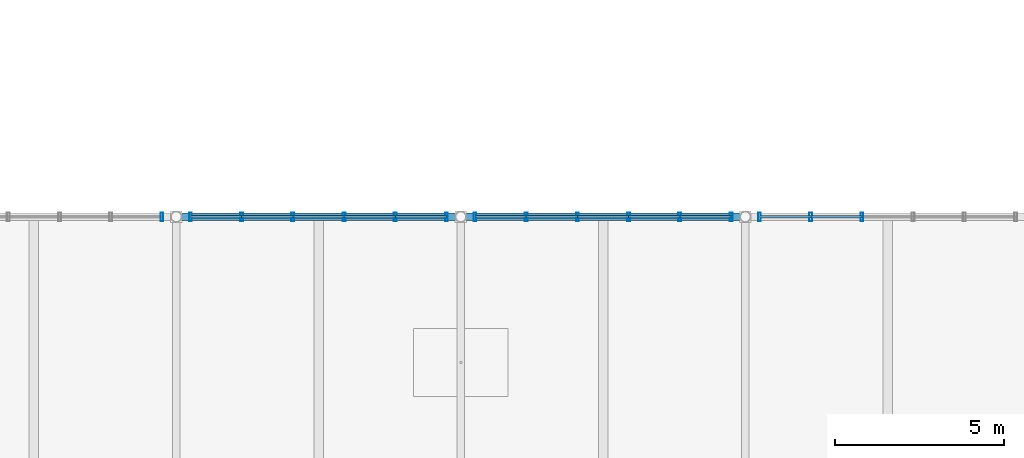
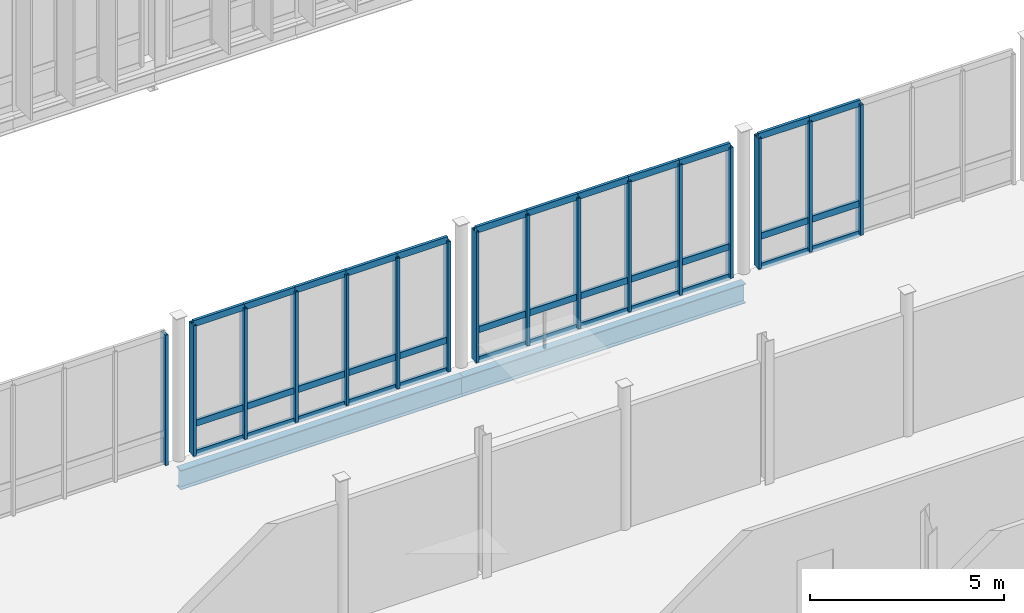
# One storey, part 42 of 139: 52 members, 2 beams, 4 elements without a shape of their own.
"""IFC4 building model written with IfcOpenShell, lengths in metres."""

from ifc_helpers import new_model, si_unit, derived_unit, direction, frame, origin, origin_2d, place, context, subcontext, project, spatial, hollow_rectangle, i_section, extrude, material, layer, layer_set, material_profile, profile_set, type_object, element, aggregate, save


model = new_model("IFC4")

# Units and contexts
model_context = context("Model", 3, precision=1e-05, world=origin(), true_north=direction((0.0, 1.0)))
body_context = subcontext(model_context, "Body", "Model", "MODEL_VIEW")
ifc_project = project(units=[si_unit("LENGTHUNIT", "METRE"), si_unit("AREAUNIT", "SQUARE_METRE"), si_unit("VOLUMEUNIT", "CUBIC_METRE"), si_unit("PLANEANGLEUNIT", "RADIAN"), si_unit("MASSUNIT", "GRAM", prefix="KILO"), derived_unit("THERMALTRANSMITTANCEUNIT", [(si_unit("MASSUNIT", "GRAM", prefix="KILO"), 1), (si_unit("TIMEUNIT", "SECOND"), -3), (si_unit("THERMODYNAMICTEMPERATUREUNIT", "KELVIN"), -1)])], contexts=[model_context])

# Site, building, storey
site_placement = place(None, origin())
site = spatial("IfcSite", under=ifc_project, at=site_placement, CompositionType="ELEMENT")
building_placement = place(site_placement, origin())
building = spatial("IfcBuilding", under=site, at=building_placement, Name="Makaiwela Harbour Ferry Terminal", CompositionType="ELEMENT")
storey_placement = place(building_placement, frame((0.0, 0.0, 5.10009765625)))
storey = spatial("IfcBuildingStorey", under=building, at=storey_placement, Name="L01", CompositionType="ELEMENT", Elevation=5.10009765625)

# Curtain wall, member
ifc_material_1 = material(Name="Marine anodised aluminium 6063-T6", Category="aluminium")
ifc_layer = layer(ifc_material_1, 0.199951171875)
ifc_layer_set = layer_set([ifc_layer], Name="Marine anodised aluminium 6063-T6")
curtain_wall_type = type_object("IfcCurtainWallType", Name="ENV-CW-08", PredefinedType="USERDEFINED", material=ifc_layer_set)
curtain_wall_1_placement = place(storey_placement, origin())
curtain_wall_1 = element("IfcCurtainWall", 1, at=curtain_wall_1_placement, inside=storey, type_object=curtain_wall_type, Name="Unitised Curtain Wall CWA-143", ObjectType="UNITIZED CURTAIN WALL", PredefinedType="USERDEFINED")
ifc_material_profile_1 = material_profile(ifc_material_1, hollow_rectangle(XDim=0.0849609375, YDim=0.25, WallThickness=0.0048828125, at=origin_2d()), Name="CWM-250X85")
ifc_profile_set_1 = profile_set([ifc_material_profile_1], Name="Marine anodised aluminium 6063-T6")
member_type_1 = type_object("IfcMemberType", Name="CW-MUL-250", PredefinedType="MULLION", material=ifc_profile_set_1)
member_1_placement = place(storey_placement, frame((96.179931640625, 33.60009765625, 0.0), z_axis=(0.0, 0.0, 1.0), x_axis=(1.0, 0.0, 0.0)))
member_1 = element("IfcMember", 2, at=member_1_placement, type_object=member_type_1, Name="Curtain Wall Mullion CWA-143-1", PredefinedType="MULLION", context=body_context, shape_type="SweptSolid", body=[
    extrude(hollow_rectangle(XDim=0.0849609375, YDim=0.25, WallThickness=0.0048828125, at=origin_2d()), origin(), (0.0, 0.0, 1.0), 4.099853515625),
])
aggregate(curtain_wall_1, [member_1])

# Curtain wall, members
curtain_wall_2_placement = place(storey_placement, origin())
curtain_wall_2 = element("IfcCurtainWall", 3, at=curtain_wall_2_placement, inside=storey, type_object=curtain_wall_type, Name="Unitised Curtain Wall CWA-145", ObjectType="UNITIZED CURTAIN WALL", PredefinedType="USERDEFINED")
member_2_placement = place(storey_placement, frame((104.580078125, 33.60009765625, 0.0), z_axis=(0.0, 0.0, 1.0), x_axis=(1.0, 0.0, 0.0)))
member_2 = element("IfcMember", 4, at=member_2_placement, type_object=member_type_1, Name="Curtain Wall Mullion CWA-145-1", PredefinedType="MULLION", context=body_context, shape_type="SweptSolid", body=[
    extrude(hollow_rectangle(XDim=0.0849609375, YDim=0.25, WallThickness=0.0048828125, at=origin_2d()), origin(), (0.0, 0.0, 1.0), 4.099853515625),
])
member_3_placement = place(storey_placement, frame((103.068115234375, 33.60009765625, 0.0), z_axis=(0.0, 0.0, 1.0), x_axis=(1.0, 0.0, 0.0)))
member_3 = element("IfcMember", 5, at=member_3_placement, type_object=member_type_1, Name="Curtain Wall Mullion CWA-145-2", PredefinedType="MULLION", context=body_context, shape_type="SweptSolid", body=[
    extrude(hollow_rectangle(XDim=0.0849609375, YDim=0.25, WallThickness=0.0048828125, at=origin_2d()), origin(), (0.0, 0.0, 1.0), 4.099853515625),
])
member_4_placement = place(storey_placement, frame((101.555908203125, 33.60009765625, 0.0), z_axis=(0.0, 0.0, 1.0), x_axis=(1.0, 0.0, 0.0)))
member_4 = element("IfcMember", 6, at=member_4_placement, type_object=member_type_1, Name="Curtain Wall Mullion CWA-145-3", PredefinedType="MULLION", context=body_context, shape_type="SweptSolid", body=[
    extrude(hollow_rectangle(XDim=0.0849609375, YDim=0.25, WallThickness=0.0048828125, at=origin_2d()), origin(), (0.0, 0.0, 1.0), 4.099853515625),
])
member_5_placement = place(storey_placement, frame((100.0439453125, 33.60009765625, 0.0), z_axis=(0.0, 0.0, 1.0), x_axis=(1.0, 0.0, 0.0)))
member_5 = element("IfcMember", 7, at=member_5_placement, type_object=member_type_1, Name="Curtain Wall Mullion CWA-145-4", PredefinedType="MULLION", context=body_context, shape_type="SweptSolid", body=[
    extrude(hollow_rectangle(XDim=0.0849609375, YDim=0.25, WallThickness=0.0048828125, at=origin_2d()), origin(), (0.0, 0.0, 1.0), 4.099853515625),
])
member_6_placement = place(storey_placement, frame((98.531982421875, 33.60009765625, 0.0), z_axis=(0.0, 0.0, 1.0), x_axis=(1.0, 0.0, 0.0)))
member_6 = element("IfcMember", 8, at=member_6_placement, type_object=member_type_1, Name="Curtain Wall Mullion CWA-145-5", PredefinedType="MULLION", context=body_context, shape_type="SweptSolid", body=[
    extrude(hollow_rectangle(XDim=0.0849609375, YDim=0.25, WallThickness=0.0048828125, at=origin_2d()), origin(), (0.0, 0.0, 1.0), 4.099853515625),
])
member_7_placement = place(storey_placement, frame((97.02001953125, 33.60009765625, 0.0), z_axis=(0.0, 0.0, 1.0), x_axis=(1.0, 0.0, 0.0)))
member_7 = element("IfcMember", 9, at=member_7_placement, type_object=member_type_1, Name="Curtain Wall Mullion CWA-145-6", PredefinedType="MULLION", context=body_context, shape_type="SweptSolid", body=[
    extrude(hollow_rectangle(XDim=0.0849609375, YDim=0.25, WallThickness=0.0048828125, at=origin_2d()), origin(), (0.0, 0.0, 1.0), 4.099853515625),
])

curtain_wall_3_placement = place(storey_placement, origin())
curtain_wall_3 = element("IfcCurtainWall", 10, at=curtain_wall_3_placement, inside=storey, type_object=curtain_wall_type, Name="Unitised Curtain Wall CWA-147", ObjectType="UNITIZED CURTAIN WALL", PredefinedType="USERDEFINED")
member_8_placement = place(storey_placement, frame((112.97998046875, 33.60009765625, 0.0), z_axis=(0.0, 0.0, 1.0), x_axis=(1.0, 0.0, 0.0)))
member_8 = element("IfcMember", 11, at=member_8_placement, type_object=member_type_1, Name="Curtain Wall Mullion CWA-147-1", PredefinedType="MULLION", context=body_context, shape_type="SweptSolid", body=[
    extrude(hollow_rectangle(XDim=0.0849609375, YDim=0.25, WallThickness=0.0048828125, at=origin_2d()), origin(), (0.0, 0.0, 1.0), 4.099853515625),
])
member_9_placement = place(storey_placement, frame((111.468017578125, 33.60009765625, 0.0), z_axis=(0.0, 0.0, 1.0), x_axis=(1.0, 0.0, 0.0)))
member_9 = element("IfcMember", 12, at=member_9_placement, type_object=member_type_1, Name="Curtain Wall Mullion CWA-147-2", PredefinedType="MULLION", context=body_context, shape_type="SweptSolid", body=[
    extrude(hollow_rectangle(XDim=0.0849609375, YDim=0.25, WallThickness=0.0048828125, at=origin_2d()), origin(), (0.0, 0.0, 1.0), 4.099853515625),
])
member_10_placement = place(storey_placement, frame((109.9560546875, 33.60009765625, 0.0), z_axis=(0.0, 0.0, 1.0), x_axis=(1.0, 0.0, 0.0)))
member_10 = element("IfcMember", 13, at=member_10_placement, type_object=member_type_1, Name="Curtain Wall Mullion CWA-147-3", PredefinedType="MULLION", context=body_context, shape_type="SweptSolid", body=[
    extrude(hollow_rectangle(XDim=0.0849609375, YDim=0.25, WallThickness=0.0048828125, at=origin_2d()), origin(), (0.0, 0.0, 1.0), 4.099853515625),
])
member_11_placement = place(storey_placement, frame((108.444091796875, 33.60009765625, 0.0), z_axis=(0.0, 0.0, 1.0), x_axis=(1.0, 0.0, 0.0)))
member_11 = element("IfcMember", 14, at=member_11_placement, type_object=member_type_1, Name="Curtain Wall Mullion CWA-147-4", PredefinedType="MULLION", context=body_context, shape_type="SweptSolid", body=[
    extrude(hollow_rectangle(XDim=0.0849609375, YDim=0.25, WallThickness=0.0048828125, at=origin_2d()), origin(), (0.0, 0.0, 1.0), 4.099853515625),
])
member_12_placement = place(storey_placement, frame((106.931884765625, 33.60009765625, 0.0), z_axis=(0.0, 0.0, 1.0), x_axis=(1.0, 0.0, 0.0)))
member_12 = element("IfcMember", 15, at=member_12_placement, type_object=member_type_1, Name="Curtain Wall Mullion CWA-147-5", PredefinedType="MULLION", context=body_context, shape_type="SweptSolid", body=[
    extrude(hollow_rectangle(XDim=0.0849609375, YDim=0.25, WallThickness=0.0048828125, at=origin_2d()), origin(), (0.0, 0.0, 1.0), 4.099853515625),
])
member_13_placement = place(storey_placement, frame((105.419921875, 33.60009765625, 0.0), z_axis=(0.0, 0.0, 1.0), x_axis=(1.0, 0.0, 0.0)))
member_13 = element("IfcMember", 16, at=member_13_placement, type_object=member_type_1, Name="Curtain Wall Mullion CWA-147-6", PredefinedType="MULLION", context=body_context, shape_type="SweptSolid", body=[
    extrude(hollow_rectangle(XDim=0.0849609375, YDim=0.25, WallThickness=0.0048828125, at=origin_2d()), origin(), (0.0, 0.0, 1.0), 4.099853515625),
])

curtain_wall_4_placement = place(storey_placement, origin())
curtain_wall_4 = element("IfcCurtainWall", 17, at=curtain_wall_4_placement, inside=storey, type_object=curtain_wall_type, Name="Unitised Curtain Wall CWA-149", ObjectType="UNITIZED CURTAIN WALL", PredefinedType="USERDEFINED")
member_14_placement = place(storey_placement, frame((116.843994140625, 33.60009765625, 0.0), z_axis=(0.0, 0.0, 1.0), x_axis=(1.0, 0.0, 0.0)))
member_14 = element("IfcMember", 18, at=member_14_placement, type_object=member_type_1, Name="Curtain Wall Mullion CWA-149-4", PredefinedType="MULLION", context=body_context, shape_type="SweptSolid", body=[
    extrude(hollow_rectangle(XDim=0.0849609375, YDim=0.25, WallThickness=0.0048828125, at=origin_2d()), origin(), (0.0, 0.0, 1.0), 4.099853515625),
])
member_15_placement = place(storey_placement, frame((115.33203125, 33.60009765625, 0.0), z_axis=(0.0, 0.0, 1.0), x_axis=(1.0, 0.0, 0.0)))
member_15 = element("IfcMember", 19, at=member_15_placement, type_object=member_type_1, Name="Curtain Wall Mullion CWA-149-5", PredefinedType="MULLION", context=body_context, shape_type="SweptSolid", body=[
    extrude(hollow_rectangle(XDim=0.0849609375, YDim=0.25, WallThickness=0.0048828125, at=origin_2d()), origin(), (0.0, 0.0, 1.0), 4.099853515625),
])
member_16_placement = place(storey_placement, frame((113.820068359375, 33.60009765625, 0.0), z_axis=(0.0, 0.0, 1.0), x_axis=(1.0, 0.0, 0.0)))
member_16 = element("IfcMember", 20, at=member_16_placement, type_object=member_type_1, Name="Curtain Wall Mullion CWA-149-6", PredefinedType="MULLION", context=body_context, shape_type="SweptSolid", body=[
    extrude(hollow_rectangle(XDim=0.0849609375, YDim=0.25, WallThickness=0.0048828125, at=origin_2d()), origin(), (0.0, 0.0, 1.0), 4.099853515625),
])

# Member
ifc_material_profile_2 = material_profile(ifc_material_1, hollow_rectangle(XDim=0.0849609375, YDim=0.199951171875, WallThickness=0.0048828125, at=origin_2d()), Name="CWT-200X85")
ifc_profile_set_2 = profile_set([ifc_material_profile_2], Name="Marine anodised aluminium 6063-T6")
member_type_2 = type_object("IfcMemberType", Name="CW-TRN-200", PredefinedType="USERDEFINED", material=ifc_profile_set_2)
member_17_placement = place(storey_placement, frame((104.580078125, 33.60009765625, 0.0), z_axis=(-1.0, 0.0, 0.0), x_axis=(0.0, -1.0, 0.0)))
member_17 = element("IfcMember", 21, at=member_17_placement, type_object=member_type_2, Name="Curtain Wall Transom CWA-145-1-1", ObjectType="TRANSOM", PredefinedType="USERDEFINED", context=body_context, shape_type="SweptSolid", body=[
    extrude(hollow_rectangle(XDim=0.0849609375, YDim=0.199951171875, WallThickness=0.0048828125, at=origin_2d()), origin(), (0.0, 0.0, 1.0), 1.511962890625),
])

member_18_placement = place(storey_placement, frame((104.580078125, 33.60009765625, 0.949951171875), z_axis=(-1.0, 0.0, 0.0), x_axis=(0.0, -1.0, 0.0)))
member_18 = element("IfcMember", 22, at=member_18_placement, type_object=member_type_2, Name="Curtain Wall Transom CWA-145-1-2", ObjectType="TRANSOM", PredefinedType="USERDEFINED", context=body_context, shape_type="SweptSolid", body=[
    extrude(hollow_rectangle(XDim=0.0849609375, YDim=0.199951171875, WallThickness=0.0048828125, at=origin_2d()), origin(), (0.0, 0.0, 1.0), 1.511962890625),
])

member_19_placement = place(storey_placement, frame((104.580078125, 33.60009765625, 4.099853515625), z_axis=(-1.0, 0.0, 0.0), x_axis=(0.0, -1.0, 0.0)))
member_19 = element("IfcMember", 23, at=member_19_placement, type_object=member_type_2, Name="Curtain Wall Transom CWA-145-1-3", ObjectType="TRANSOM", PredefinedType="USERDEFINED", context=body_context, shape_type="SweptSolid", body=[
    extrude(hollow_rectangle(XDim=0.0849609375, YDim=0.199951171875, WallThickness=0.0048828125, at=origin_2d()), origin(), (0.0, 0.0, 1.0), 1.511962890625),
])

member_20_placement = place(storey_placement, frame((103.068115234375, 33.60009765625, 0.0), z_axis=(-1.0, 0.0, 0.0), x_axis=(0.0, -1.0, 0.0)))
member_20 = element("IfcMember", 24, at=member_20_placement, type_object=member_type_2, Name="Curtain Wall Transom CWA-145-2-1", ObjectType="TRANSOM", PredefinedType="USERDEFINED", context=body_context, shape_type="SweptSolid", body=[
    extrude(hollow_rectangle(XDim=0.0849609375, YDim=0.199951171875, WallThickness=0.0048828125, at=origin_2d()), origin(), (0.0, 0.0, 1.0), 1.51220703125),
])

member_21_placement = place(storey_placement, frame((103.068115234375, 33.60009765625, 0.949951171875), z_axis=(-1.0, 0.0, 0.0), x_axis=(0.0, -1.0, 0.0)))
member_21 = element("IfcMember", 25, at=member_21_placement, type_object=member_type_2, Name="Curtain Wall Transom CWA-145-2-2", ObjectType="TRANSOM", PredefinedType="USERDEFINED", context=body_context, shape_type="SweptSolid", body=[
    extrude(hollow_rectangle(XDim=0.0849609375, YDim=0.199951171875, WallThickness=0.0048828125, at=origin_2d()), origin(), (0.0, 0.0, 1.0), 1.51220703125),
])

member_22_placement = place(storey_placement, frame((103.068115234375, 33.60009765625, 4.099853515625), z_axis=(-1.0, 0.0, 0.0), x_axis=(0.0, -1.0, 0.0)))
member_22 = element("IfcMember", 26, at=member_22_placement, type_object=member_type_2, Name="Curtain Wall Transom CWA-145-2-3", ObjectType="TRANSOM", PredefinedType="USERDEFINED", context=body_context, shape_type="SweptSolid", body=[
    extrude(hollow_rectangle(XDim=0.0849609375, YDim=0.199951171875, WallThickness=0.0048828125, at=origin_2d()), origin(), (0.0, 0.0, 1.0), 1.51220703125),
])

member_23_placement = place(storey_placement, frame((101.555908203125, 33.60009765625, 0.0), z_axis=(-1.0, 0.0, 0.0), x_axis=(0.0, -1.0, 0.0)))
member_23 = element("IfcMember", 27, at=member_23_placement, type_object=member_type_2, Name="Curtain Wall Transom CWA-145-3-1", ObjectType="TRANSOM", PredefinedType="USERDEFINED", context=body_context, shape_type="SweptSolid", body=[
    extrude(hollow_rectangle(XDim=0.0849609375, YDim=0.199951171875, WallThickness=0.0048828125, at=origin_2d()), origin(), (0.0, 0.0, 1.0), 1.511962890625),
])

member_24_placement = place(storey_placement, frame((101.555908203125, 33.60009765625, 0.949951171875), z_axis=(-1.0, 0.0, 0.0), x_axis=(0.0, -1.0, 0.0)))
member_24 = element("IfcMember", 28, at=member_24_placement, type_object=member_type_2, Name="Curtain Wall Transom CWA-145-3-2", ObjectType="TRANSOM", PredefinedType="USERDEFINED", context=body_context, shape_type="SweptSolid", body=[
    extrude(hollow_rectangle(XDim=0.0849609375, YDim=0.199951171875, WallThickness=0.0048828125, at=origin_2d()), origin(), (0.0, 0.0, 1.0), 1.511962890625),
])

member_25_placement = place(storey_placement, frame((101.555908203125, 33.60009765625, 4.099853515625), z_axis=(-1.0, 0.0, 0.0), x_axis=(0.0, -1.0, 0.0)))
member_25 = element("IfcMember", 29, at=member_25_placement, type_object=member_type_2, Name="Curtain Wall Transom CWA-145-3-3", ObjectType="TRANSOM", PredefinedType="USERDEFINED", context=body_context, shape_type="SweptSolid", body=[
    extrude(hollow_rectangle(XDim=0.0849609375, YDim=0.199951171875, WallThickness=0.0048828125, at=origin_2d()), origin(), (0.0, 0.0, 1.0), 1.511962890625),
])

member_26_placement = place(storey_placement, frame((100.0439453125, 33.60009765625, 0.0), z_axis=(-1.0, 0.0, 0.0), x_axis=(0.0, -1.0, 0.0)))
member_26 = element("IfcMember", 30, at=member_26_placement, type_object=member_type_2, Name="Curtain Wall Transom CWA-145-4-1", ObjectType="TRANSOM", PredefinedType="USERDEFINED", context=body_context, shape_type="SweptSolid", body=[
    extrude(hollow_rectangle(XDim=0.0849609375, YDim=0.199951171875, WallThickness=0.0048828125, at=origin_2d()), origin(), (0.0, 0.0, 1.0), 1.511962890625),
])

member_27_placement = place(storey_placement, frame((100.0439453125, 33.60009765625, 0.949951171875), z_axis=(-1.0, 0.0, 0.0), x_axis=(0.0, -1.0, 0.0)))
member_27 = element("IfcMember", 31, at=member_27_placement, type_object=member_type_2, Name="Curtain Wall Transom CWA-145-4-2", ObjectType="TRANSOM", PredefinedType="USERDEFINED", context=body_context, shape_type="SweptSolid", body=[
    extrude(hollow_rectangle(XDim=0.0849609375, YDim=0.199951171875, WallThickness=0.0048828125, at=origin_2d()), origin(), (0.0, 0.0, 1.0), 1.511962890625),
])

member_28_placement = place(storey_placement, frame((100.0439453125, 33.60009765625, 4.099853515625), z_axis=(-1.0, 0.0, 0.0), x_axis=(0.0, -1.0, 0.0)))
member_28 = element("IfcMember", 32, at=member_28_placement, type_object=member_type_2, Name="Curtain Wall Transom CWA-145-4-3", ObjectType="TRANSOM", PredefinedType="USERDEFINED", context=body_context, shape_type="SweptSolid", body=[
    extrude(hollow_rectangle(XDim=0.0849609375, YDim=0.199951171875, WallThickness=0.0048828125, at=origin_2d()), origin(), (0.0, 0.0, 1.0), 1.511962890625),
])

member_29_placement = place(storey_placement, frame((98.531982421875, 33.60009765625, 0.0), z_axis=(-1.0, 0.0, 0.0), x_axis=(0.0, -1.0, 0.0)))
member_29 = element("IfcMember", 33, at=member_29_placement, type_object=member_type_2, Name="Curtain Wall Transom CWA-145-5-1", ObjectType="TRANSOM", PredefinedType="USERDEFINED", context=body_context, shape_type="SweptSolid", body=[
    extrude(hollow_rectangle(XDim=0.0849609375, YDim=0.199951171875, WallThickness=0.0048828125, at=origin_2d()), origin(), (0.0, 0.0, 1.0), 1.511962890625),
])

member_30_placement = place(storey_placement, frame((98.531982421875, 33.60009765625, 0.949951171875), z_axis=(-1.0, 0.0, 0.0), x_axis=(0.0, -1.0, 0.0)))
member_30 = element("IfcMember", 34, at=member_30_placement, type_object=member_type_2, Name="Curtain Wall Transom CWA-145-5-2", ObjectType="TRANSOM", PredefinedType="USERDEFINED", context=body_context, shape_type="SweptSolid", body=[
    extrude(hollow_rectangle(XDim=0.0849609375, YDim=0.199951171875, WallThickness=0.0048828125, at=origin_2d()), origin(), (0.0, 0.0, 1.0), 1.511962890625),
])

member_31_placement = place(storey_placement, frame((98.531982421875, 33.60009765625, 4.099853515625), z_axis=(-1.0, 0.0, 0.0), x_axis=(0.0, -1.0, 0.0)))
member_31 = element("IfcMember", 35, at=member_31_placement, type_object=member_type_2, Name="Curtain Wall Transom CWA-145-5-3", ObjectType="TRANSOM", PredefinedType="USERDEFINED", context=body_context, shape_type="SweptSolid", body=[
    extrude(hollow_rectangle(XDim=0.0849609375, YDim=0.199951171875, WallThickness=0.0048828125, at=origin_2d()), origin(), (0.0, 0.0, 1.0), 1.511962890625),
])

aggregate(curtain_wall_2, [member_2, member_3, member_4, member_5, member_6, member_7, member_17, member_18, member_19, member_20, member_21, member_22, member_23, member_24, member_25, member_26, member_27, member_28, member_29, member_30, member_31])

member_32_placement = place(storey_placement, frame((112.97998046875, 33.60009765625, 0.0), z_axis=(-1.0, 0.0, 0.0), x_axis=(0.0, -1.0, 0.0)))
member_32 = element("IfcMember", 36, at=member_32_placement, type_object=member_type_2, Name="Curtain Wall Transom CWA-147-1-1", ObjectType="TRANSOM", PredefinedType="USERDEFINED", context=body_context, shape_type="SweptSolid", body=[
    extrude(hollow_rectangle(XDim=0.0849609375, YDim=0.199951171875, WallThickness=0.0048828125, at=origin_2d()), origin(), (0.0, 0.0, 1.0), 1.511962890625),
])

member_33_placement = place(storey_placement, frame((112.97998046875, 33.60009765625, 0.949951171875), z_axis=(-1.0, 0.0, 0.0), x_axis=(0.0, -1.0, 0.0)))
member_33 = element("IfcMember", 37, at=member_33_placement, type_object=member_type_2, Name="Curtain Wall Transom CWA-147-1-2", ObjectType="TRANSOM", PredefinedType="USERDEFINED", context=body_context, shape_type="SweptSolid", body=[
    extrude(hollow_rectangle(XDim=0.0849609375, YDim=0.199951171875, WallThickness=0.0048828125, at=origin_2d()), origin(), (0.0, 0.0, 1.0), 1.511962890625),
])

member_34_placement = place(storey_placement, frame((112.97998046875, 33.60009765625, 4.099853515625), z_axis=(-1.0, 0.0, 0.0), x_axis=(0.0, -1.0, 0.0)))
member_34 = element("IfcMember", 38, at=member_34_placement, type_object=member_type_2, Name="Curtain Wall Transom CWA-147-1-3", ObjectType="TRANSOM", PredefinedType="USERDEFINED", context=body_context, shape_type="SweptSolid", body=[
    extrude(hollow_rectangle(XDim=0.0849609375, YDim=0.199951171875, WallThickness=0.0048828125, at=origin_2d()), origin(), (0.0, 0.0, 1.0), 1.511962890625),
])

member_35_placement = place(storey_placement, frame((111.468017578125, 33.60009765625, 0.0), z_axis=(-1.0, 0.0, 0.0), x_axis=(0.0, -1.0, 0.0)))
member_35 = element("IfcMember", 39, at=member_35_placement, type_object=member_type_2, Name="Curtain Wall Transom CWA-147-2-1", ObjectType="TRANSOM", PredefinedType="USERDEFINED", context=body_context, shape_type="SweptSolid", body=[
    extrude(hollow_rectangle(XDim=0.0849609375, YDim=0.199951171875, WallThickness=0.0048828125, at=origin_2d()), origin(), (0.0, 0.0, 1.0), 1.511962890625),
])

member_36_placement = place(storey_placement, frame((111.468017578125, 33.60009765625, 0.949951171875), z_axis=(-1.0, 0.0, 0.0), x_axis=(0.0, -1.0, 0.0)))
member_36 = element("IfcMember", 40, at=member_36_placement, type_object=member_type_2, Name="Curtain Wall Transom CWA-147-2-2", ObjectType="TRANSOM", PredefinedType="USERDEFINED", context=body_context, shape_type="SweptSolid", body=[
    extrude(hollow_rectangle(XDim=0.0849609375, YDim=0.199951171875, WallThickness=0.0048828125, at=origin_2d()), origin(), (0.0, 0.0, 1.0), 1.511962890625),
])

member_37_placement = place(storey_placement, frame((111.468017578125, 33.60009765625, 4.099853515625), z_axis=(-1.0, 0.0, 0.0), x_axis=(0.0, -1.0, 0.0)))
member_37 = element("IfcMember", 41, at=member_37_placement, type_object=member_type_2, Name="Curtain Wall Transom CWA-147-2-3", ObjectType="TRANSOM", PredefinedType="USERDEFINED", context=body_context, shape_type="SweptSolid", body=[
    extrude(hollow_rectangle(XDim=0.0849609375, YDim=0.199951171875, WallThickness=0.0048828125, at=origin_2d()), origin(), (0.0, 0.0, 1.0), 1.511962890625),
])

member_38_placement = place(storey_placement, frame((109.9560546875, 33.60009765625, 0.0), z_axis=(-1.0, 0.0, 0.0), x_axis=(0.0, -1.0, 0.0)))
member_38 = element("IfcMember", 42, at=member_38_placement, type_object=member_type_2, Name="Curtain Wall Transom CWA-147-3-1", ObjectType="TRANSOM", PredefinedType="USERDEFINED", context=body_context, shape_type="SweptSolid", body=[
    extrude(hollow_rectangle(XDim=0.0849609375, YDim=0.199951171875, WallThickness=0.0048828125, at=origin_2d()), origin(), (0.0, 0.0, 1.0), 1.511962890625),
])

member_39_placement = place(storey_placement, frame((109.9560546875, 33.60009765625, 0.949951171875), z_axis=(-1.0, 0.0, 0.0), x_axis=(0.0, -1.0, 0.0)))
member_39 = element("IfcMember", 43, at=member_39_placement, type_object=member_type_2, Name="Curtain Wall Transom CWA-147-3-2", ObjectType="TRANSOM", PredefinedType="USERDEFINED", context=body_context, shape_type="SweptSolid", body=[
    extrude(hollow_rectangle(XDim=0.0849609375, YDim=0.199951171875, WallThickness=0.0048828125, at=origin_2d()), origin(), (0.0, 0.0, 1.0), 1.511962890625),
])

member_40_placement = place(storey_placement, frame((109.9560546875, 33.60009765625, 4.099853515625), z_axis=(-1.0, 0.0, 0.0), x_axis=(0.0, -1.0, 0.0)))
member_40 = element("IfcMember", 44, at=member_40_placement, type_object=member_type_2, Name="Curtain Wall Transom CWA-147-3-3", ObjectType="TRANSOM", PredefinedType="USERDEFINED", context=body_context, shape_type="SweptSolid", body=[
    extrude(hollow_rectangle(XDim=0.0849609375, YDim=0.199951171875, WallThickness=0.0048828125, at=origin_2d()), origin(), (0.0, 0.0, 1.0), 1.511962890625),
])

member_41_placement = place(storey_placement, frame((108.444091796875, 33.60009765625, 0.0), z_axis=(-1.0, 0.0, 0.0), x_axis=(0.0, -1.0, 0.0)))
member_41 = element("IfcMember", 45, at=member_41_placement, type_object=member_type_2, Name="Curtain Wall Transom CWA-147-4-1", ObjectType="TRANSOM", PredefinedType="USERDEFINED", context=body_context, shape_type="SweptSolid", body=[
    extrude(hollow_rectangle(XDim=0.0849609375, YDim=0.199951171875, WallThickness=0.0048828125, at=origin_2d()), origin(), (0.0, 0.0, 1.0), 1.51220703125),
])

member_42_placement = place(storey_placement, frame((108.444091796875, 33.60009765625, 0.949951171875), z_axis=(-1.0, 0.0, 0.0), x_axis=(0.0, -1.0, 0.0)))
member_42 = element("IfcMember", 46, at=member_42_placement, type_object=member_type_2, Name="Curtain Wall Transom CWA-147-4-2", ObjectType="TRANSOM", PredefinedType="USERDEFINED", context=body_context, shape_type="SweptSolid", body=[
    extrude(hollow_rectangle(XDim=0.0849609375, YDim=0.199951171875, WallThickness=0.0048828125, at=origin_2d()), origin(), (0.0, 0.0, 1.0), 1.51220703125),
])

member_43_placement = place(storey_placement, frame((108.444091796875, 33.60009765625, 4.099853515625), z_axis=(-1.0, 0.0, 0.0), x_axis=(0.0, -1.0, 0.0)))
member_43 = element("IfcMember", 47, at=member_43_placement, type_object=member_type_2, Name="Curtain Wall Transom CWA-147-4-3", ObjectType="TRANSOM", PredefinedType="USERDEFINED", context=body_context, shape_type="SweptSolid", body=[
    extrude(hollow_rectangle(XDim=0.0849609375, YDim=0.199951171875, WallThickness=0.0048828125, at=origin_2d()), origin(), (0.0, 0.0, 1.0), 1.51220703125),
])

member_44_placement = place(storey_placement, frame((106.931884765625, 33.60009765625, 0.0), z_axis=(-1.0, 0.0, 0.0), x_axis=(0.0, -1.0, 0.0)))
member_44 = element("IfcMember", 48, at=member_44_placement, type_object=member_type_2, Name="Curtain Wall Transom CWA-147-5-1", ObjectType="TRANSOM", PredefinedType="USERDEFINED", context=body_context, shape_type="SweptSolid", body=[
    extrude(hollow_rectangle(XDim=0.0849609375, YDim=0.199951171875, WallThickness=0.0048828125, at=origin_2d()), origin(), (0.0, 0.0, 1.0), 1.511962890625),
])

member_45_placement = place(storey_placement, frame((106.931884765625, 33.60009765625, 0.949951171875), z_axis=(-1.0, 0.0, 0.0), x_axis=(0.0, -1.0, 0.0)))
member_45 = element("IfcMember", 49, at=member_45_placement, type_object=member_type_2, Name="Curtain Wall Transom CWA-147-5-2", ObjectType="TRANSOM", PredefinedType="USERDEFINED", context=body_context, shape_type="SweptSolid", body=[
    extrude(hollow_rectangle(XDim=0.0849609375, YDim=0.199951171875, WallThickness=0.0048828125, at=origin_2d()), origin(), (0.0, 0.0, 1.0), 1.511962890625),
])

member_46_placement = place(storey_placement, frame((106.931884765625, 33.60009765625, 4.099853515625), z_axis=(-1.0, 0.0, 0.0), x_axis=(0.0, -1.0, 0.0)))
member_46 = element("IfcMember", 50, at=member_46_placement, type_object=member_type_2, Name="Curtain Wall Transom CWA-147-5-3", ObjectType="TRANSOM", PredefinedType="USERDEFINED", context=body_context, shape_type="SweptSolid", body=[
    extrude(hollow_rectangle(XDim=0.0849609375, YDim=0.199951171875, WallThickness=0.0048828125, at=origin_2d()), origin(), (0.0, 0.0, 1.0), 1.511962890625),
])

aggregate(curtain_wall_3, [member_8, member_9, member_10, member_11, member_12, member_13, member_32, member_33, member_34, member_35, member_36, member_37, member_38, member_39, member_40, member_41, member_42, member_43, member_44, member_45, member_46])

member_47_placement = place(storey_placement, frame((116.843994140625, 33.60009765625, 0.0), z_axis=(-1.0, 0.0, 0.0), x_axis=(0.0, -1.0, 0.0)))
member_47 = element("IfcMember", 51, at=member_47_placement, type_object=member_type_2, Name="Curtain Wall Transom CWA-149-4-1", ObjectType="TRANSOM", PredefinedType="USERDEFINED", context=body_context, shape_type="SweptSolid", body=[
    extrude(hollow_rectangle(XDim=0.0849609375, YDim=0.199951171875, WallThickness=0.0048828125, at=origin_2d()), origin(), (0.0, 0.0, 1.0), 1.511962890625),
])

member_48_placement = place(storey_placement, frame((116.843994140625, 33.60009765625, 0.949951171875), z_axis=(-1.0, 0.0, 0.0), x_axis=(0.0, -1.0, 0.0)))
member_48 = element("IfcMember", 52, at=member_48_placement, type_object=member_type_2, Name="Curtain Wall Transom CWA-149-4-2", ObjectType="TRANSOM", PredefinedType="USERDEFINED", context=body_context, shape_type="SweptSolid", body=[
    extrude(hollow_rectangle(XDim=0.0849609375, YDim=0.199951171875, WallThickness=0.0048828125, at=origin_2d()), origin(), (0.0, 0.0, 1.0), 1.511962890625),
])

member_49_placement = place(storey_placement, frame((116.843994140625, 33.60009765625, 4.099853515625), z_axis=(-1.0, 0.0, 0.0), x_axis=(0.0, -1.0, 0.0)))
member_49 = element("IfcMember", 53, at=member_49_placement, type_object=member_type_2, Name="Curtain Wall Transom CWA-149-4-3", ObjectType="TRANSOM", PredefinedType="USERDEFINED", context=body_context, shape_type="SweptSolid", body=[
    extrude(hollow_rectangle(XDim=0.0849609375, YDim=0.199951171875, WallThickness=0.0048828125, at=origin_2d()), origin(), (0.0, 0.0, 1.0), 1.511962890625),
])

member_50_placement = place(storey_placement, frame((115.33203125, 33.60009765625, 0.0), z_axis=(-1.0, 0.0, 0.0), x_axis=(0.0, -1.0, 0.0)))
member_50 = element("IfcMember", 54, at=member_50_placement, type_object=member_type_2, Name="Curtain Wall Transom CWA-149-5-1", ObjectType="TRANSOM", PredefinedType="USERDEFINED", context=body_context, shape_type="SweptSolid", body=[
    extrude(hollow_rectangle(XDim=0.0849609375, YDim=0.199951171875, WallThickness=0.0048828125, at=origin_2d()), origin(), (0.0, 0.0, 1.0), 1.511962890625),
])

member_51_placement = place(storey_placement, frame((115.33203125, 33.60009765625, 0.949951171875), z_axis=(-1.0, 0.0, 0.0), x_axis=(0.0, -1.0, 0.0)))
member_51 = element("IfcMember", 55, at=member_51_placement, type_object=member_type_2, Name="Curtain Wall Transom CWA-149-5-2", ObjectType="TRANSOM", PredefinedType="USERDEFINED", context=body_context, shape_type="SweptSolid", body=[
    extrude(hollow_rectangle(XDim=0.0849609375, YDim=0.199951171875, WallThickness=0.0048828125, at=origin_2d()), origin(), (0.0, 0.0, 1.0), 1.511962890625),
])

member_52_placement = place(storey_placement, frame((115.33203125, 33.60009765625, 4.099853515625), z_axis=(-1.0, 0.0, 0.0), x_axis=(0.0, -1.0, 0.0)))
member_52 = element("IfcMember", 56, at=member_52_placement, type_object=member_type_2, Name="Curtain Wall Transom CWA-149-5-3", ObjectType="TRANSOM", PredefinedType="USERDEFINED", context=body_context, shape_type="SweptSolid", body=[
    extrude(hollow_rectangle(XDim=0.0849609375, YDim=0.199951171875, WallThickness=0.0048828125, at=origin_2d()), origin(), (0.0, 0.0, 1.0), 1.511962890625),
])

aggregate(curtain_wall_4, [member_14, member_15, member_16, member_47, member_48, member_49, member_50, member_51, member_52])

# Beams
ifc_material_2 = material(Name="Steel ASTM A992 Grade 50", Category="steel")
ifc_material_profile_3 = material_profile(ifc_material_2, i_section(OverallWidth=0.22900390625, OverallDepth=0.612060546875, WebThickness=0.011962890625, FlangeThickness=0.01953125, at=origin_2d()), Name="W24X84")
ifc_profile_set_3 = profile_set([ifc_material_profile_3], Name="Steel ASTM A992 Grade 50")
beam_type = type_object("IfcBeamType", Name="STR-GRD-W24X84", PredefinedType="USERDEFINED", material=ifc_profile_set_3)
for number, where, z_axis, x_axis, name in (
    (57, (96.60009765625, 33.60009765625, -0.6259765625), (1.0, 0.0, 0.0), (0.0, 1.0, 0.0), "Primary X girder 787"),
    (58, (105.0, 33.60009765625, -0.6259765625), (1.0, 0.0, 0.0), (0.0, 1.0, 0.0), "Primary X girder 788"),
):
    element("IfcBeam", number, at=place(storey_placement, frame(where, z_axis=z_axis, x_axis=x_axis)), inside=storey, type_object=beam_type, Name=name, ObjectType="GIRDER", PredefinedType="USERDEFINED", context=body_context, shape_type="SweptSolid", body=[
        extrude(i_section(OverallWidth=0.22900390625, OverallDepth=0.612060546875, WebThickness=0.011962890625, FlangeThickness=0.01953125, at=origin_2d()), origin(), (0.0, 0.0, 1.0), 8.39990234375),
    ])

save(model, "model.ifc")
